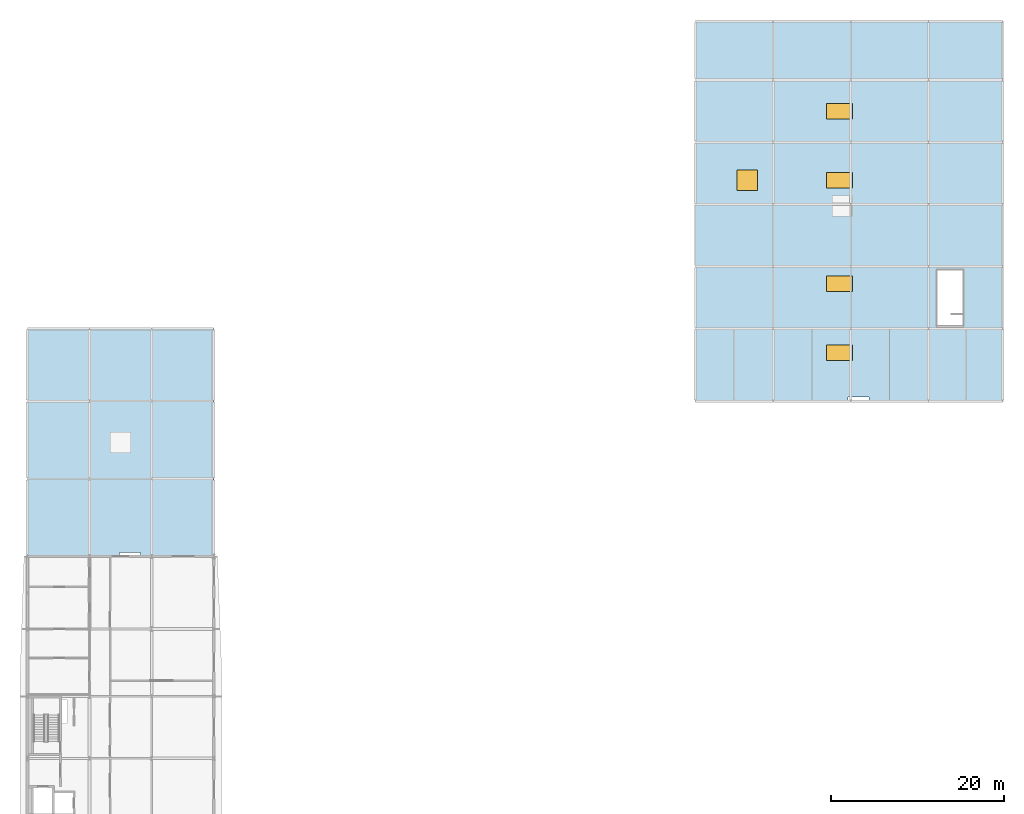
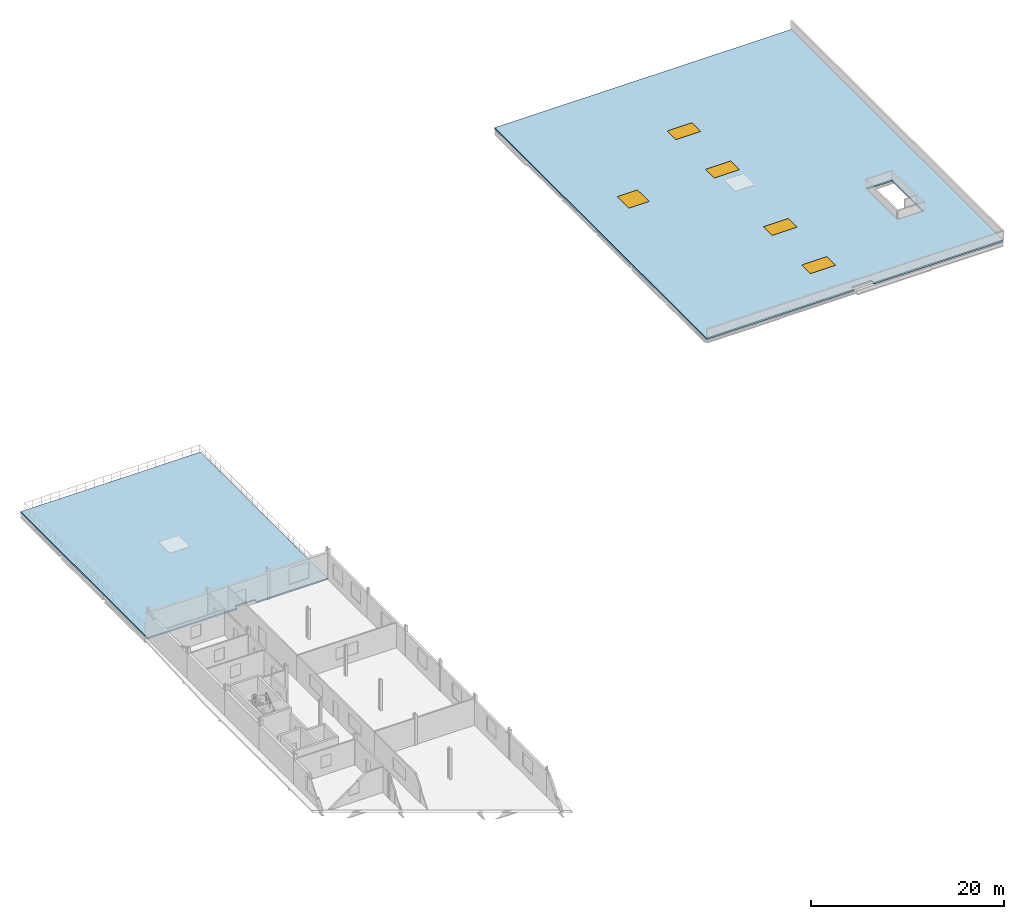
# One storey, part 8 of 17: 5 windows, 2 slabs, 5 openings.
"""IFC4 building model written with IfcOpenShell, lengths in metres."""

from ifc_helpers import new_model, si_unit, direction, frame, origin, origin_2d, place, context, subcontext, project, spatial, polyline, rectangle, outline, extrude, material, layer, layer_set, type_object, element, fill, save


model = new_model("IFC4")

# Units and contexts
model_context = context("Model", 3, precision=1e-05, world=origin(), true_north=direction((0.0, 1.0)))
body_context = subcontext(model_context, "Body", "Model", "MODEL_VIEW")
ifc_project = project(units=[si_unit("LENGTHUNIT", "METRE"), si_unit("AREAUNIT", "SQUARE_METRE"), si_unit("VOLUMEUNIT", "CUBIC_METRE"), si_unit("PLANEANGLEUNIT", "RADIAN"), si_unit("MASSUNIT", "GRAM", prefix="KILO")], contexts=[model_context])

# Site, building, storey
site_placement = place(None, origin())
site = spatial("IfcSite", under=ifc_project, at=site_placement, CompositionType="ELEMENT")
building_placement = place(site_placement, origin())
building = spatial("IfcBuilding", under=site, at=building_placement, Name="Vinh Khe Railworks Police Headquarters", CompositionType="ELEMENT")
storey_placement = place(building_placement, frame((0.0, 0.0, 24.89990234375)))
storey = spatial("IfcBuildingStorey", under=building, at=storey_placement, Name="L06", CompositionType="ELEMENT", Elevation=24.89990234375)

# Slab
ifc_material_1 = material(Name="Concrete C35/45 (B35)", Category="concrete")
ifc_layer = layer(ifc_material_1, 0.199951171875)
ifc_layer_set = layer_set([ifc_layer], Name="Concrete C35/45 (B35)")
slab_type = type_object("IfcSlabType", Name="Flat Structural Roof Slab 200", PredefinedType="ROOF", material=ifc_layer_set)
slab_1_placement = place(storey_placement, frame((0.0, 0.0, -0.199951171875)))
element("IfcSlab", 1, at=slab_1_placement, inside=storey, type_object=slab_type, Name="V5-N-TERR Roof Slab (L06)", PredefinedType="ROOF", context=body_context, shape_type="SweptSolid", body=[
    extrude(outline(polyline([(0.60009765625, 104.409912109375), (11.300048828125, 104.409912109375), (11.300048828125, 104.860107421875), (13.699951171875, 104.860107421875), (13.699951171875, 104.409912109375), (22.199951171875, 104.409912109375), (22.199951171875, 130.800048828125), (0.60009765625, 130.800048828125), (0.60009765625, 104.409912109375)])), origin(), (0.0, 0.0, 1.0), 0.199951171875),
])

# Slab, openings, windows
slab_2_placement = place(storey_placement, frame((0.0, 0.0, -0.199951171875)))
slab_2 = element("IfcSlab", 2, at=slab_2_placement, inside=storey, type_object=slab_type, Name="V6B-ROOF Roof Slab (L06)", PredefinedType="ROOF", context=body_context, shape_type="SweptSolid", body=[
    extrude(outline(polyline([(78.0, 122.39990234375), (95.699951171875, 122.39990234375), (95.699951171875, 122.85009765625), (98.10009765625, 122.85009765625), (98.10009765625, 122.39990234375), (113.60009765625, 122.39990234375), (113.60009765625, 166.39990234375), (78.0, 166.39990234375), (78.0, 122.39990234375)]), holes=[polyline([(105.969970703125, 131.1201171875), (109.030029296875, 131.1201171875), (109.030029296875, 137.580078125), (105.969970703125, 137.580078125), (105.969970703125, 131.1201171875)])]), origin(), (0.0, 0.0, 1.0), 0.199951171875),
])
opening_1_placement = place(slab_2_placement, frame((94.699951171875, 128.0, -0.014892578125)))
opening_1 = element("IfcOpeningElement", 3, at=opening_1_placement, cuts=slab_2, Name="Opening SK-02", PredefinedType="OPENING", context=body_context, shape_type="SweptSolid", body=[
    extrude(rectangle(XDim=3.0, YDim=1.800048828125, at=origin_2d()), origin(), (0.0, 0.0, 1.0), 0.229736328125),
])
opening_2_placement = place(slab_2_placement, frame((94.699951171875, 136.0, -0.014892578125)))
opening_2 = element("IfcOpeningElement", 4, at=opening_2_placement, cuts=slab_2, Name="Opening SK-02", PredefinedType="OPENING", context=body_context, shape_type="SweptSolid", body=[
    extrude(rectangle(XDim=3.0, YDim=1.800048828125, at=origin_2d()), origin(), (0.0, 0.0, 1.0), 0.229736328125),
])
opening_3_placement = place(slab_2_placement, frame((94.699951171875, 148.0, -0.014892578125)))
opening_3 = element("IfcOpeningElement", 5, at=opening_3_placement, cuts=slab_2, Name="Opening SK-02", PredefinedType="OPENING", context=body_context, shape_type="SweptSolid", body=[
    extrude(rectangle(XDim=3.0, YDim=1.800048828125, at=origin_2d()), origin(), (0.0, 0.0, 1.0), 0.229736328125),
])
opening_4_placement = place(slab_2_placement, frame((94.699951171875, 156.0, -0.014892578125)))
opening_4 = element("IfcOpeningElement", 6, at=opening_4_placement, cuts=slab_2, Name="Opening SK-02", PredefinedType="OPENING", context=body_context, shape_type="SweptSolid", body=[
    extrude(rectangle(XDim=3.0, YDim=1.800048828125, at=origin_2d()), origin(), (0.0, 0.0, 1.0), 0.229736328125),
])
opening_5_placement = place(slab_2_placement, frame((84.0, 148.0, -0.014892578125)))
opening_5 = element("IfcOpeningElement", 7, at=opening_5_placement, cuts=slab_2, Name="Opening SK-01", PredefinedType="OPENING", context=body_context, shape_type="SweptSolid", body=[
    extrude(rectangle(XDim=2.39990234375, YDim=2.39990234375, at=origin_2d()), origin(), (0.0, 0.0, 1.0), 0.229736328125),
])
ifc_material_2 = material(Name="Low-iron laminated solar-control skylight glass", Category="glass")
window_type_1 = type_object("IfcWindowType", Name="SK-2400x2400", PartitioningType="SINGLE_PANEL", PredefinedType="SKYLIGHT", material=ifc_material_2)
window_1_placement = place(slab_2_placement, frame((84.0, 148.0, 0.06005859375)))
window_1 = element("IfcWindow", 8, at=window_1_placement, inside=storey, type_object=window_type_1, Name="Roof Skylight SK-L06-05", OverallHeight=2.39990234375, OverallWidth=2.39990234375, PartitioningType="SINGLE_PANEL", PredefinedType="SKYLIGHT", context=body_context, shape_type="SweptSolid", body=[
    extrude(rectangle(XDim=2.39990234375, YDim=2.39990234375, at=origin_2d()), origin(), (0.0, 0.0, 1.0), 0.139892578125),
])
fill(opening_5, window_1)
window_type_2 = type_object("IfcWindowType", Name="SK-3000x1800", PartitioningType="SINGLE_PANEL", PredefinedType="SKYLIGHT", material=ifc_material_2)
window_2_placement = place(slab_2_placement, frame((94.699951171875, 128.0, 0.06005859375)))
window_2 = element("IfcWindow", 9, at=window_2_placement, inside=storey, type_object=window_type_2, Name="Roof Skylight SK-L06-01", OverallHeight=1.800048828125, OverallWidth=3.0, PartitioningType="SINGLE_PANEL", PredefinedType="SKYLIGHT", context=body_context, shape_type="SweptSolid", body=[
    extrude(rectangle(XDim=3.0, YDim=1.800048828125, at=origin_2d()), origin(), (0.0, 0.0, 1.0), 0.139892578125),
])
fill(opening_1, window_2)
window_3_placement = place(slab_2_placement, frame((94.699951171875, 136.0, 0.06005859375)))
window_3 = element("IfcWindow", 10, at=window_3_placement, inside=storey, type_object=window_type_2, Name="Roof Skylight SK-L06-02", OverallHeight=1.800048828125, OverallWidth=3.0, PartitioningType="SINGLE_PANEL", PredefinedType="SKYLIGHT", context=body_context, shape_type="SweptSolid", body=[
    extrude(rectangle(XDim=3.0, YDim=1.800048828125, at=origin_2d()), origin(), (0.0, 0.0, 1.0), 0.139892578125),
])
fill(opening_2, window_3)
window_4_placement = place(slab_2_placement, frame((94.699951171875, 148.0, 0.06005859375)))
window_4 = element("IfcWindow", 11, at=window_4_placement, inside=storey, type_object=window_type_2, Name="Roof Skylight SK-L06-03", OverallHeight=1.800048828125, OverallWidth=3.0, PartitioningType="SINGLE_PANEL", PredefinedType="SKYLIGHT", context=body_context, shape_type="SweptSolid", body=[
    extrude(rectangle(XDim=3.0, YDim=1.800048828125, at=origin_2d()), origin(), (0.0, 0.0, 1.0), 0.139892578125),
])
fill(opening_3, window_4)
window_5_placement = place(slab_2_placement, frame((94.699951171875, 156.0, 0.06005859375)))
window_5 = element("IfcWindow", 12, at=window_5_placement, inside=storey, type_object=window_type_2, Name="Roof Skylight SK-L06-04", OverallHeight=1.800048828125, OverallWidth=3.0, PartitioningType="SINGLE_PANEL", PredefinedType="SKYLIGHT", context=body_context, shape_type="SweptSolid", body=[
    extrude(rectangle(XDim=3.0, YDim=1.800048828125, at=origin_2d()), origin(), (0.0, 0.0, 1.0), 0.139892578125),
])
fill(opening_4, window_5)

save(model, "model.ifc")
